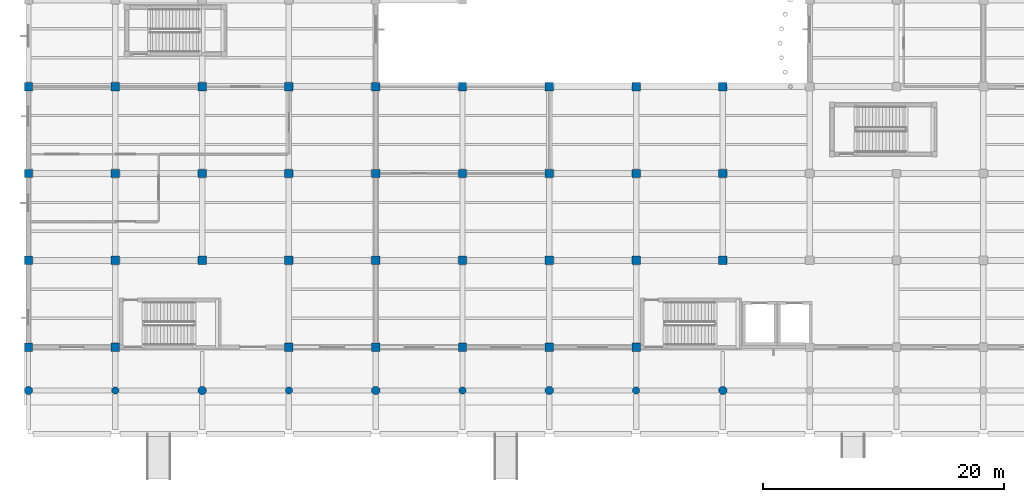
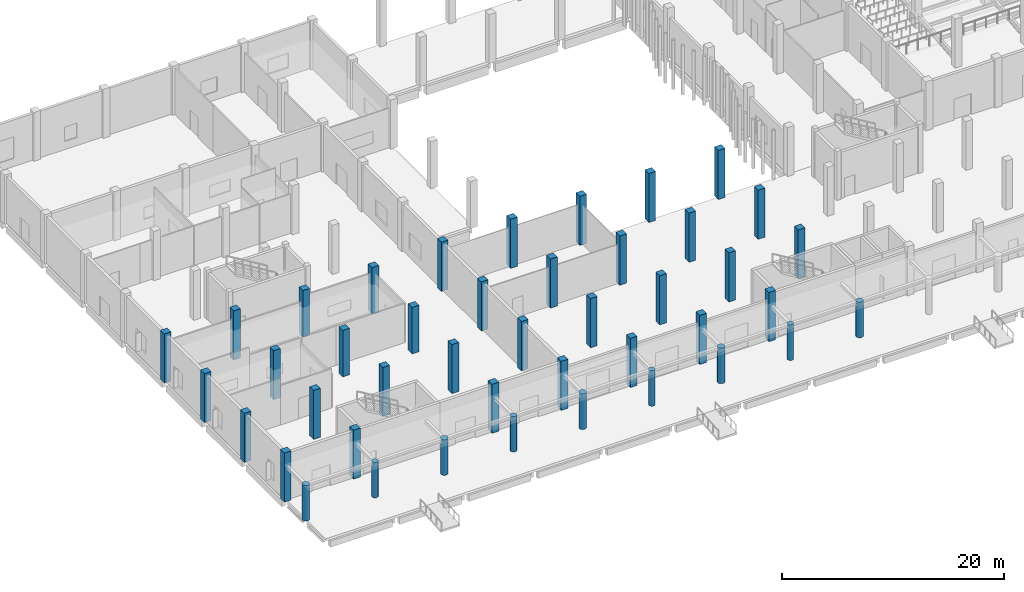
# One storey, part 1 of 46: 43 columns.
"""IFC4 building model written with IfcOpenShell, lengths in metres."""

from ifc_helpers import new_model, si_unit, direction, frame, origin, origin_2d, place, context, subcontext, project, spatial, rectangle, circle, extrude, material, material_profile, profile_set, type_object, element, save


model = new_model("IFC4")

# Units and contexts
model_context = context("Model", 3, precision=1e-05, world=origin(), true_north=direction((0.0, 1.0)))
body_context = subcontext(model_context, "Body", "Model", "MODEL_VIEW")
ifc_project = project(units=[si_unit("LENGTHUNIT", "METRE"), si_unit("AREAUNIT", "SQUARE_METRE"), si_unit("VOLUMEUNIT", "CUBIC_METRE"), si_unit("PLANEANGLEUNIT", "RADIAN"), si_unit("MASSUNIT", "GRAM", prefix="KILO"), si_unit("THERMODYNAMICTEMPERATUREUNIT", "KELVIN"), si_unit("POWERUNIT", "WATT")], contexts=[model_context])

# Site, building, storey
site_placement = place(None, origin())
site = spatial("IfcSite", under=ifc_project, at=site_placement, CompositionType="ELEMENT")
building_placement = place(site_placement, origin())
building = spatial("IfcBuilding", under=site, at=building_placement, Name="Kaldorven Railside Theatre", CompositionType="ELEMENT")
storey_placement = place(building_placement, origin())
storey = spatial("IfcBuildingStorey", under=building, at=storey_placement, Name="L00", CompositionType="ELEMENT", Elevation=0.0)

# Columns
ifc_material_1 = material(Name="Architectural concrete C40/50", Category="concrete")
ifc_material_profile_1 = material_profile(ifc_material_1, circle(Radius=0.300048828125, at=origin_2d()), Name="RC D600")
ifc_profile_set_1 = profile_set([ifc_material_profile_1], Name="Architectural concrete C40/50")
column_type_1 = type_object("IfcColumnType", Name="COL-CIRC600", PredefinedType="PILASTER", material=ifc_profile_set_1)
for number, where, z_axis, x_axis, name in (
    (1, (15.199951171875, 15.60009765625, 0.0), (0.0, 0.0, 1.0), (1.0, 0.0, 0.0), "L00 Column CG-L00-015-015"),
    (2, (29.60009765625, 15.60009765625, 0.0), (0.0, 0.0, 1.0), (1.0, 0.0, 0.0), "L00 Column CG-L00-029-015"),
    (3, (44.0, 15.60009765625, 0.0), (0.0, 0.0, 1.0), (1.0, 0.0, 0.0), "L00 Column CG-L00-044-015"),
    (4, (58.39990234375, 15.60009765625, 0.0), (0.0, 0.0, 1.0), (1.0, 0.0, 0.0), "L00 Column CG-L00-058-015"),
):
    element("IfcColumn", number, at=place(storey_placement, frame(where, z_axis=z_axis, x_axis=x_axis)), inside=storey, type_object=column_type_1, Name=name, PredefinedType="PILASTER", context=body_context, shape_type="SweptSolid", body=[
        extrude(circle(Radius=0.300048828125, at=origin_2d()), origin(), (0.0, 0.0, 1.0), 3.909912109375),
    ])
ifc_material_profile_2 = material_profile(ifc_material_1, circle(Radius=0.35009765625, at=origin_2d()), Name="RC D700")
ifc_profile_set_2 = profile_set([ifc_material_profile_2], Name="Architectural concrete C40/50")
column_type_2 = type_object("IfcColumnType", Name="COL-CIRC700", PredefinedType="PILASTER", material=ifc_profile_set_2)
for number, where, z_axis, x_axis, name in (
    (5, (8.0, 15.60009765625, 0.0), (0.0, 0.0, 1.0), (1.0, 0.0, 0.0), "L00 Column CG-L00-008-015"),
    (6, (22.39990234375, 15.60009765625, 0.0), (0.0, 0.0, 1.0), (1.0, 0.0, 0.0), "L00 Column CG-L00-022-015"),
    (7, (36.800048828125, 15.60009765625, 0.0), (0.0, 0.0, 1.0), (1.0, 0.0, 0.0), "L00 Column CG-L00-036-015"),
    (8, (51.199951171875, 15.60009765625, 0.0), (0.0, 0.0, 1.0), (1.0, 0.0, 0.0), "L00 Column CG-L00-051-015"),
    (9, (65.60009765625, 15.60009765625, 0.0), (0.0, 0.0, 1.0), (1.0, 0.0, 0.0), "L00 Column CG-L00-065-015"),
):
    element("IfcColumn", number, at=place(storey_placement, frame(where, z_axis=z_axis, x_axis=x_axis)), inside=storey, type_object=column_type_2, Name=name, PredefinedType="PILASTER", context=body_context, shape_type="SweptSolid", body=[
        extrude(circle(Radius=0.35009765625, at=origin_2d()), origin(), (0.0, 0.0, 1.0), 3.909912109375),
    ])
ifc_material_2 = material(Name="Concrete C40/50", Category="concrete")
ifc_material_profile_3 = material_profile(ifc_material_2, rectangle(XDim=0.699951171875, YDim=0.699951171875, at=origin_2d()), Name="RC 700x700")
ifc_profile_set_3 = profile_set([ifc_material_profile_3], Name="Concrete C40/50")
column_type_3 = type_object("IfcColumnType", Name="COL-RC700", PredefinedType="COLUMN", material=ifc_profile_set_3)
for number, where, z_axis, x_axis, name in (
    (10, (8.0, 19.199951171875, 0.0), (0.0, 0.0, 1.0), (0.0, 1.0, 0.0), "L00 Column CG-L00-008-019"),
    (11, (15.199951171875, 19.199951171875, 0.0), (0.0, 0.0, 1.0), (1.0, 0.0, 0.0), "L00 Column CG-L00-015-019"),
    (12, (29.60009765625, 19.199951171875, 0.0), (0.0, 0.0, 1.0), (1.0, 0.0, 0.0), "L00 Column CG-L00-029-019"),
    (13, (36.800048828125, 19.199951171875, 0.0), (0.0, 0.0, 1.0), (1.0, 0.0, 0.0), "L00 Column CG-L00-036-019"),
    (14, (44.0, 19.199951171875, 0.0), (0.0, 0.0, 1.0), (0.0, 1.0, 0.0), "L00 Column CG-L00-044-019"),
    (15, (51.199951171875, 19.199951171875, 0.0), (0.0, 0.0, 1.0), (1.0, 0.0, 0.0), "L00 Column CG-L00-051-019"),
    (16, (58.39990234375, 19.199951171875, 0.0), (0.0, 0.0, 1.0), (0.0, 1.0, 0.0), "L00 Column CG-L00-058-019"),
    (17, (8.0, 26.39990234375, 0.0), (0.0, 0.0, 1.0), (1.0, 0.0, 0.0), "L00 Column CG-L00-008-026"),
    (18, (15.199951171875, 26.39990234375, 0.0), (0.0, 0.0, 1.0), (0.0, 1.0, 0.0), "L00 Column CG-L00-015-026"),
    (19, (22.39990234375, 26.39990234375, 0.0), (0.0, 0.0, 1.0), (1.0, 0.0, 0.0), "L00 Column CG-L00-022-026"),
    (20, (29.60009765625, 26.39990234375, 0.0), (0.0, 0.0, 1.0), (1.0, 0.0, 0.0), "L00 Column CG-L00-029-026"),
    (21, (36.800048828125, 26.39990234375, 0.0), (0.0, 0.0, 1.0), (0.0, 1.0, 0.0), "L00 Column CG-L00-036-026"),
    (22, (44.0, 26.39990234375, 0.0), (0.0, 0.0, 1.0), (1.0, 0.0, 0.0), "L00 Column CG-L00-044-026"),
    (23, (51.199951171875, 26.39990234375, 0.0), (0.0, 0.0, 1.0), (0.0, 1.0, 0.0), "L00 Column CG-L00-051-026"),
    (24, (58.39990234375, 26.39990234375, 0.0), (0.0, 0.0, 1.0), (1.0, 0.0, 0.0), "L00 Column CG-L00-058-026"),
    (25, (65.60009765625, 26.39990234375, 0.0), (0.0, 0.0, 1.0), (1.0, 0.0, 0.0), "L00 Column CG-L00-065-026"),
    (26, (8.0, 33.60009765625, 0.0), (0.0, 0.0, 1.0), (0.0, 1.0, 0.0), "L00 Column CG-L00-008-033"),
    (27, (15.199951171875, 33.60009765625, 0.0), (0.0, 0.0, 1.0), (1.0, 0.0, 0.0), "L00 Column CG-L00-015-033"),
):
    element("IfcColumn", number, at=place(storey_placement, frame(where, z_axis=z_axis, x_axis=x_axis)), inside=storey, type_object=column_type_3, Name=name, PredefinedType="COLUMN", context=body_context, shape_type="SweptSolid", body=[
        extrude(rectangle(XDim=0.699951171875, YDim=0.699951171875, at=origin_2d()), origin(), (0.0, 0.0, 1.0), 5.39990234375),
    ])
for number, where, z_axis, x_axis, name in (
    (28, (22.39990234375, 33.60009765625, 0.0), (0.0, 0.0, 1.0), (1.0, 0.0, 0.0), "L00 Column CG-L00-022-033"),
    (29, (29.60009765625, 33.60009765625, 0.0), (0.0, 0.0, 1.0), (0.0, 1.0, 0.0), "L00 Column CG-L00-029-033"),
):
    element("IfcColumn", number, at=place(storey_placement, frame(where, z_axis=z_axis, x_axis=x_axis)), inside=storey, type_object=column_type_3, Name=name, PredefinedType="COLUMN", context=body_context, shape_type="SweptSolid", body=[
        extrude(rectangle(XDim=0.699951171875, YDim=0.699951171875, at=origin_2d()), origin(), (0.0, 0.0, 1.0), 5.1201171875),
    ])
for number, where, z_axis, x_axis, name in (
    (30, (36.800048828125, 33.60009765625, 0.0), (0.0, 0.0, 1.0), (1.0, 0.0, 0.0), "L00 Column CG-L00-036-033"),
    (31, (44.0, 33.60009765625, 0.0), (0.0, 0.0, 1.0), (0.0, 1.0, 0.0), "L00 Column CG-L00-044-033"),
    (32, (51.199951171875, 33.60009765625, 0.0), (0.0, 0.0, 1.0), (1.0, 0.0, 0.0), "L00 Column CG-L00-051-033"),
    (33, (58.39990234375, 33.60009765625, 0.0), (0.0, 0.0, 1.0), (1.0, 0.0, 0.0), "L00 Column CG-L00-058-033"),
    (34, (65.60009765625, 33.60009765625, 0.0), (0.0, 0.0, 1.0), (0.0, 1.0, 0.0), "L00 Column CG-L00-065-033"),
    (35, (8.0, 40.800048828125, 0.0), (0.0, 0.0, 1.0), (1.0, 0.0, 0.0), "L00 Column CG-L00-008-040"),
    (36, (15.199951171875, 40.800048828125, 0.0), (0.0, 0.0, 1.0), (1.0, 0.0, 0.0), "L00 Column CG-L00-015-040"),
):
    element("IfcColumn", number, at=place(storey_placement, frame(where, z_axis=z_axis, x_axis=x_axis)), inside=storey, type_object=column_type_3, Name=name, PredefinedType="COLUMN", context=body_context, shape_type="SweptSolid", body=[
        extrude(rectangle(XDim=0.699951171875, YDim=0.699951171875, at=origin_2d()), origin(), (0.0, 0.0, 1.0), 5.39990234375),
    ])
for number, where, z_axis, x_axis, name in (
    (37, (22.39990234375, 40.800048828125, 0.0), (0.0, 0.0, 1.0), (0.0, 1.0, 0.0), "L00 Column CG-L00-022-040"),
    (38, (29.60009765625, 40.800048828125, 0.0), (0.0, 0.0, 1.0), (1.0, 0.0, 0.0), "L00 Column CG-L00-029-040"),
):
    element("IfcColumn", number, at=place(storey_placement, frame(where, z_axis=z_axis, x_axis=x_axis)), inside=storey, type_object=column_type_3, Name=name, PredefinedType="COLUMN", context=body_context, shape_type="SweptSolid", body=[
        extrude(rectangle(XDim=0.699951171875, YDim=0.699951171875, at=origin_2d()), origin(), (0.0, 0.0, 1.0), 5.1201171875),
    ])
for number, where, z_axis, x_axis, name in (
    (39, (36.800048828125, 40.800048828125, 0.0), (0.0, 0.0, 1.0), (0.0, 1.0, 0.0), "L00 Column CG-L00-036-040"),
    (40, (44.0, 40.800048828125, 0.0), (0.0, 0.0, 1.0), (1.0, 0.0, 0.0), "L00 Column CG-L00-044-040"),
    (41, (51.199951171875, 40.800048828125, 0.0), (0.0, 0.0, 1.0), (1.0, 0.0, 0.0), "L00 Column CG-L00-051-040"),
    (42, (58.39990234375, 40.800048828125, 0.0), (0.0, 0.0, 1.0), (0.0, 1.0, 0.0), "L00 Column CG-L00-058-040"),
    (43, (65.60009765625, 40.800048828125, 0.0), (0.0, 0.0, 1.0), (1.0, 0.0, 0.0), "L00 Column CG-L00-065-040"),
):
    element("IfcColumn", number, at=place(storey_placement, frame(where, z_axis=z_axis, x_axis=x_axis)), inside=storey, type_object=column_type_3, Name=name, PredefinedType="COLUMN", context=body_context, shape_type="SweptSolid", body=[
        extrude(rectangle(XDim=0.699951171875, YDim=0.699951171875, at=origin_2d()), origin(), (0.0, 0.0, 1.0), 5.39990234375),
    ])

save(model, "model.ifc")
